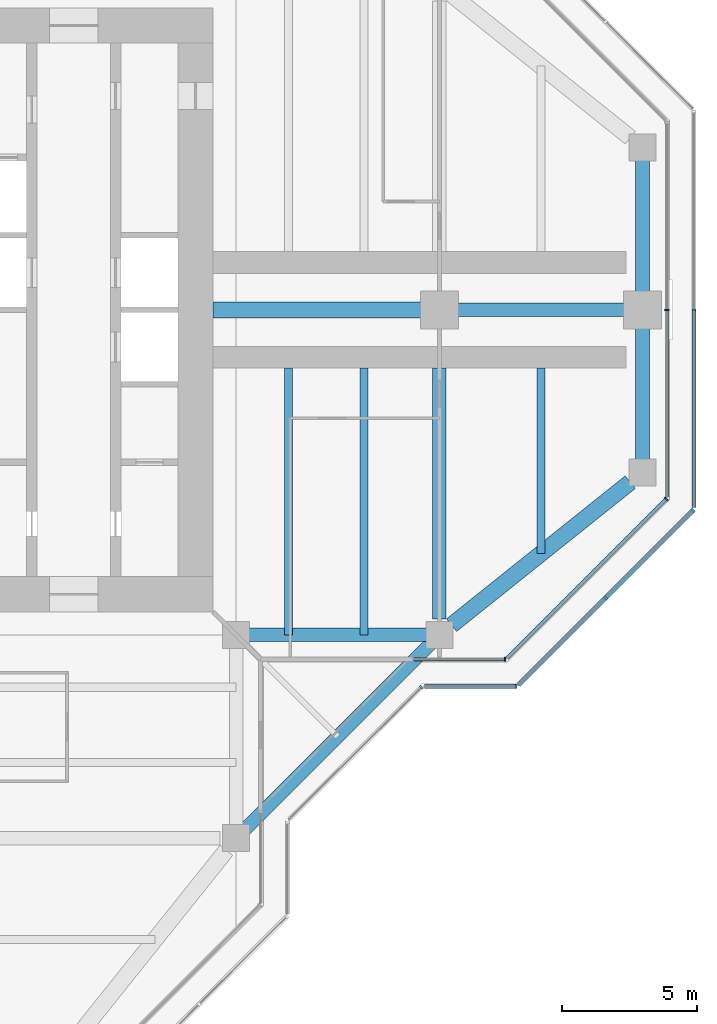
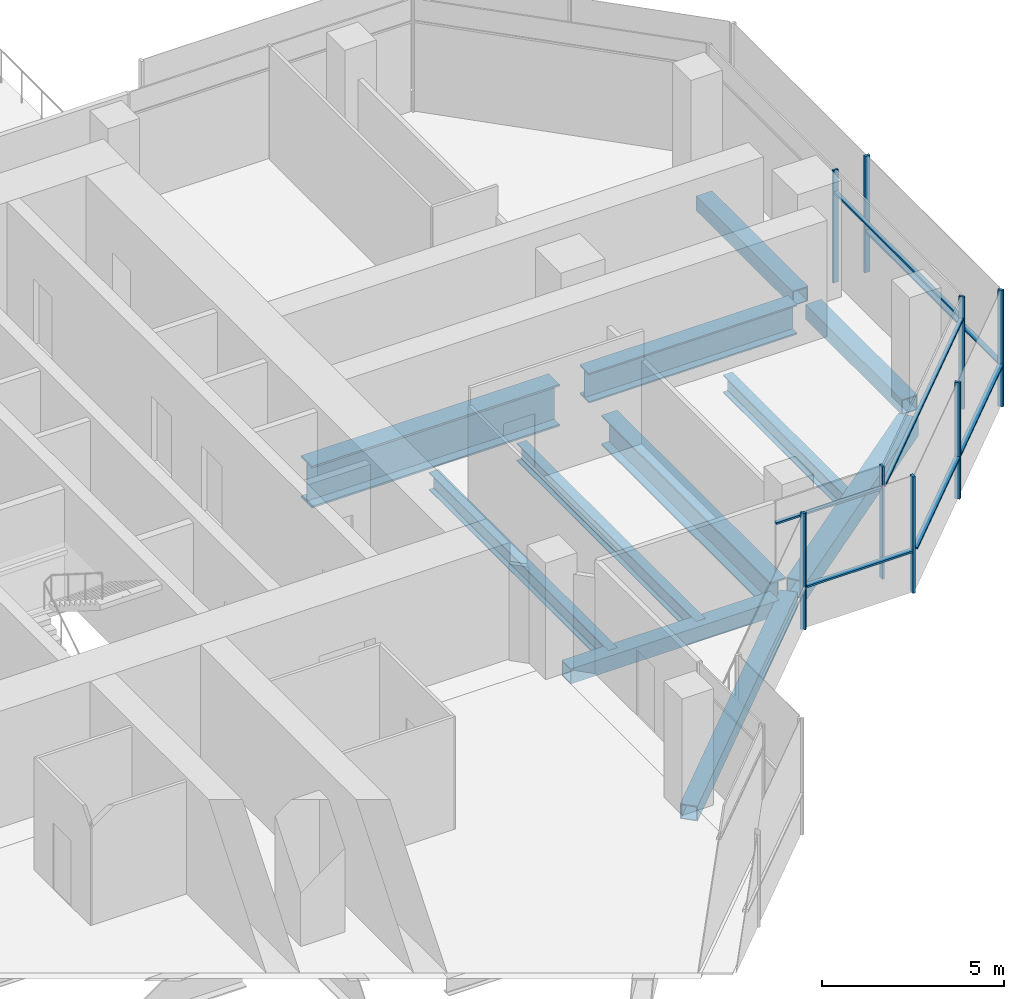
# One storey, part 5 of 15: 15 members, 11 beams, 7 elements without a shape of their own.
"""IFC4 building model written with IfcOpenShell, lengths in metres."""

from ifc_helpers import new_model, si_unit, direction, frame, origin, origin_2d, place, context, subcontext, project, spatial, rectangle, hollow_rectangle, i_section, extrude, material, material_profile, profile_set, type_object, element, aggregate, save


model = new_model("IFC4")

# Units and contexts
model_context = context("Model", 3, precision=1e-05, world=origin(), true_north=direction((0.0, 1.0)))
body_context = subcontext(model_context, "Body", "Model", "MODEL_VIEW")
ifc_project = project(units=[si_unit("LENGTHUNIT", "METRE"), si_unit("AREAUNIT", "SQUARE_METRE"), si_unit("VOLUMEUNIT", "CUBIC_METRE"), si_unit("PLANEANGLEUNIT", "RADIAN"), si_unit("MASSUNIT", "GRAM", prefix="KILO")], contexts=[model_context])

# Site, building, storey
site_placement = place(None, origin())
site = spatial("IfcSite", under=ifc_project, at=site_placement, CompositionType="ELEMENT")
building_placement = place(site_placement, origin())
building = spatial("IfcBuilding", under=site, at=building_placement, Name="Mizan Broadcast Tower", CompositionType="ELEMENT")
storey_placement = place(building_placement, frame((0.0, 0.0, 267.300048828125)))
storey = spatial("IfcBuildingStorey", under=building, at=storey_placement, Name="L63", CompositionType="ELEMENT", Elevation=267.300048828125)

# Beams
ifc_material_1 = material(Name="Steel S355", Category="steel")
ifc_material_profile_1 = material_profile(ifc_material_1, hollow_rectangle(XDim=0.5, YDim=0.5, WallThickness=0.030029296875, at=origin_2d()), Name="BOX 500x500x30")
ifc_profile_set_1 = profile_set([ifc_material_profile_1], Name="Steel S355")
beam_type_1 = type_object("IfcBeamType", Name="EDGE BEAM BOX 500x500x30", PredefinedType="SPANDREL", material=ifc_profile_set_1)
beam_1_placement = place(storey_placement, frame((12.449951171875, -12.0, -0.380126953125), z_axis=(1.0, 0.0, 0.0), x_axis=(0.0, 1.0, 0.0)))
element("IfcBeam", 1, at=beam_1_placement, inside=storey, type_object=beam_type_1, Name="Edge beam BOX 500x500x30 L63 east arm", PredefinedType="SPANDREL", context=body_context, shape_type="SweptSolid", body=[
    extrude(hollow_rectangle(XDim=0.5, YDim=0.5, WallThickness=0.030029296875, at=origin_2d()), origin(), (0.0, 0.0, 1.0), 6.60009765625),
])
for number, where, z_axis, x_axis, name in (
    (2, (27.0, -5.639892578125, -0.380126953125), (0.0, 1.0, 0.0), (-1.0, 0.0, 0.0), "Edge beam BOX 500x500x30 L63 east arm"),
    (3, (27.0, 5.639892578125, -0.380126953125), (0.0, -1.0, 0.0), (1.0, 0.0, 0.0), "Edge beam BOX 500x500x30 L63 east arm"),
):
    element("IfcBeam", number, at=place(storey_placement, frame(where, z_axis=z_axis, x_axis=x_axis)), inside=storey, type_object=beam_type_1, Name=name, PredefinedType="SPANDREL", context=body_context, shape_type="SweptSolid", body=[
        extrude(hollow_rectangle(XDim=0.5, YDim=0.5, WallThickness=0.030029296875, at=origin_2d()), origin(), (0.0, 0.0, 1.0), 5.27978515625),
    ])
beam_2_placement = place(storey_placement, frame((12.0, -19.5, -0.380126953125), z_axis=(0.707106781187, 0.707106781187, 0.0), x_axis=(-0.707106781187, 0.707106781187, 0.0)))
element("IfcBeam", 4, at=beam_2_placement, inside=storey, type_object=beam_type_1, Name="Winter garden edge beam L63 S", PredefinedType="SPANDREL", context=body_context, shape_type="SweptSolid", body=[
    extrude(hollow_rectangle(XDim=0.5, YDim=0.5, WallThickness=0.030029296875, at=origin_2d()), origin(), (0.0, 0.0, 1.0), 10.606689453125),
])
ifc_material_2 = material(Name="Steel S355", Category="steel")
ifc_material_profile_2 = material_profile(ifc_material_2, hollow_rectangle(XDim=0.60009765625, YDim=0.60009765625, WallThickness=0.030029296875, at=origin_2d()), Name="BOX 600x600x30")
ifc_profile_set_2 = profile_set([ifc_material_profile_2], Name="Steel S355")
beam_type_2 = type_object("IfcBeamType", Name="EDGE BEAM BOX 600x600x30", PredefinedType="SPANDREL", material=ifc_profile_set_2)
beam_3_placement = place(storey_placement, frame((19.949951171875, -11.639892578125, -0.429931640625), z_axis=(0.780885717636, 0.624673911726, 0.0), x_axis=(-0.624673911726, 0.780885717636, 0.0)))
element("IfcBeam", 5, at=beam_3_placement, inside=storey, type_object=beam_type_2, Name="Edge beam BOX 600x600x30 L63 east arm", PredefinedType="SPANDREL", context=body_context, shape_type="SweptSolid", body=[
    extrude(hollow_rectangle(XDim=0.60009765625, YDim=0.60009765625, WallThickness=0.030029296875, at=origin_2d()), origin(), (0.0, 0.0, 1.0), 8.4521484375),
])
ifc_material_3 = material(Name="Steel S460", Category="steel")
ifc_material_profile_3 = material_profile(ifc_material_3, i_section(OverallWidth=0.5, OverallDepth=1.0, WebThickness=0.02490234375, FlangeThickness=0.050048828125, at=origin_2d()), Name="WPG 1000x500")
ifc_profile_set_3 = profile_set([ifc_material_profile_3], Name="Steel S460")
beam_type_3 = type_object("IfcBeamType", Name="GIRDER WPG 1000x500", PredefinedType="BEAM", material=ifc_profile_set_3)
beam_4_placement = place(storey_placement, frame((19.949951171875, 0.0, -0.630126953125), z_axis=(1.0, 0.0, 0.0), x_axis=(0.0, 1.0, 0.0)))
element("IfcBeam", 6, at=beam_4_placement, inside=storey, type_object=beam_type_3, Name="Girder WPG 1000x500 L63 east arm", PredefinedType="BEAM", context=body_context, shape_type="SweptSolid", body=[
    extrude(i_section(OverallWidth=0.5, OverallDepth=1.0, WebThickness=0.02490234375, FlangeThickness=0.050048828125, at=origin_2d()), origin(), (0.0, 0.0, 1.0), 6.60009765625),
])
beam_5_placement = place(storey_placement, frame((19.5, -11.408935546875, -0.630126953125), z_axis=(0.0, 1.0, 0.0), x_axis=(-1.0, 0.0, 0.0)))
element("IfcBeam", 7, at=beam_5_placement, inside=storey, type_object=beam_type_3, Name="Girder WPG 1000x500 L63 east arm", PredefinedType="BEAM", context=body_context, shape_type="SweptSolid", body=[
    extrude(i_section(OverallWidth=0.5, OverallDepth=1.0, WebThickness=0.02490234375, FlangeThickness=0.050048828125, at=origin_2d()), origin(), (0.0, 0.0, 1.0), 9.259033203125),
])
ifc_material_4 = material(Name="Steel S460", Category="steel")
ifc_material_profile_4 = material_profile(ifc_material_4, i_section(OverallWidth=0.60009765625, OverallDepth=1.39990234375, WebThickness=0.02490234375, FlangeThickness=0.06005859375, at=origin_2d()), Name="WPG 1400x600")
ifc_profile_set_4 = profile_set([ifc_material_profile_4], Name="Steel S460")
beam_type_4 = type_object("IfcBeamType", Name="GIRDER WPG 1400x600", PredefinedType="BEAM", material=ifc_profile_set_4)
beam_6_placement = place(storey_placement, frame((11.14990234375, 0.0, -0.830078125), z_axis=(1.0, 0.0, 0.0), x_axis=(0.0, 1.0, 0.0)))
element("IfcBeam", 8, at=beam_6_placement, inside=storey, type_object=beam_type_4, Name="Girder WPG 1400x600 L63 east arm", PredefinedType="BEAM", context=body_context, shape_type="SweptSolid", body=[
    extrude(i_section(OverallWidth=0.60009765625, OverallDepth=1.39990234375, WebThickness=0.02490234375, FlangeThickness=0.06005859375, at=origin_2d()), origin(), (0.0, 0.0, 1.0), 7.84912109375),
])

# Curtain wall, member
ifc_material_5 = material(Name="Aluminium framed glazing", Category="aluminium")
curtain_wall_type_1 = type_object("IfcCurtainWallType", Name="INNER SKIN TOP ZONE", PredefinedType="USERDEFINED", material=ifc_material_5)
curtain_wall_1_placement = place(storey_placement, origin())
curtain_wall_1 = element("IfcCurtainWall", 9, at=curtain_wall_1_placement, inside=storey, type_object=curtain_wall_type_1, Name="Inner skin top zone L63 E side", ObjectType="INNER SKIN TOP ZONE", PredefinedType="USERDEFINED")
ifc_material_6 = material(Name="Aluminium, pale anodised", Category="aluminium")
ifc_material_profile_5 = material_profile(ifc_material_6, rectangle(XDim=0.159912109375, YDim=0.06005859375, at=origin_2d()), Name="MULLION 160x60")
ifc_profile_set_5 = profile_set([ifc_material_profile_5], Name="Aluminium, pale anodised")
member_type_1 = type_object("IfcMemberType", Name="INNER SKIN MULLION 60x160", PredefinedType="MULLION", material=ifc_profile_set_5)
member_1_placement = place(storey_placement, frame((21.928466796875, -12.89990234375, 0.0), z_axis=(0.0, 0.0, 1.0), x_axis=(0.0, 1.0, 0.0)))
member_1 = element("IfcMember", 10, at=member_1_placement, type_object=member_type_1, Name="Inner skin top zone L63 E side mullion 2", PredefinedType="MULLION", context=body_context, shape_type="SweptSolid", body=[
    extrude(rectangle(XDim=0.159912109375, YDim=0.06005859375, at=origin_2d()), origin(), (0.0, 0.0, 1.0), 3.77001953125),
])

curtain_wall_2_placement = place(storey_placement, origin())
curtain_wall_2 = element("IfcCurtainWall", 11, at=curtain_wall_2_placement, inside=storey, type_object=curtain_wall_type_1, Name="Inner skin top zone L63 E chamfer", ObjectType="INNER SKIN TOP ZONE", PredefinedType="USERDEFINED")
member_2_placement = place(storey_placement, frame((27.87890625, -6.979736328125, 0.0), z_axis=(0.0, 0.0, 1.0), x_axis=(-0.707106781187, 0.707106781187, 0.0)))
member_2 = element("IfcMember", 12, at=member_2_placement, type_object=member_type_1, Name="Inner skin top zone L63 E chamfer mullion 2", PredefinedType="MULLION", context=body_context, shape_type="SweptSolid", body=[
    extrude(rectangle(XDim=0.159912109375, YDim=0.06005859375, at=origin_2d()), origin(), (0.0, 0.0, 1.0), 3.77001953125),
])

curtain_wall_3_placement = place(storey_placement, origin())
curtain_wall_3 = element("IfcCurtainWall", 13, at=curtain_wall_3_placement, inside=storey, type_object=curtain_wall_type_1, Name="Inner skin top zone L63 E end", ObjectType="INNER SKIN TOP ZONE", PredefinedType="USERDEFINED")
member_3_placement = place(storey_placement, frame((27.89990234375, 0.0, 0.0), z_axis=(0.0, 0.0, 1.0), x_axis=(-1.0, 0.0, 0.0)))
member_3 = element("IfcMember", 14, at=member_3_placement, type_object=member_type_1, Name="Inner skin top zone L63 E end mullion 2", PredefinedType="MULLION", context=body_context, shape_type="SweptSolid", body=[
    extrude(rectangle(XDim=0.159912109375, YDim=0.06005859375, at=origin_2d()), origin(), (0.0, 0.0, 1.0), 3.77001953125),
])

# Member
ifc_material_7 = material(Name="Aluminium, pale anodised", Category="aluminium")
ifc_material_profile_6 = material_profile(ifc_material_7, rectangle(XDim=0.1201171875, YDim=0.06005859375, at=origin_2d()), Name="TRANSOM 120x60")
ifc_profile_set_6 = profile_set([ifc_material_profile_6], Name="Aluminium, pale anodised")
member_type_2 = type_object("IfcMemberType", Name="INNER SKIN TRANSOM 60x120", PredefinedType="USERDEFINED", material=ifc_profile_set_6)
member_4_placement = place(storey_placement, frame((18.56005859375, -12.89990234375, 3.030029296875), z_axis=(1.0, 0.0, 0.0), x_axis=(0.0, 1.0, 0.0)))
member_4 = element("IfcMember", 15, at=member_4_placement, type_object=member_type_2, Name="Inner skin top zone L63 E side transom 1.1", ObjectType="TRANSOM", PredefinedType="USERDEFINED", context=body_context, shape_type="SweptSolid", body=[
    extrude(rectangle(XDim=0.1201171875, YDim=0.06005859375, at=origin_2d()), origin(), (0.0, 0.0, 1.0), 3.338623046875),
])

aggregate(curtain_wall_1, [member_1, member_4])

member_5_placement = place(storey_placement, frame((22.0009765625, -12.857666015625, 3.030029296875), z_axis=(0.707106781187, 0.707106781187, 0.0), x_axis=(-0.707106781187, 0.707106781187, 0.0)))
member_5 = element("IfcMember", 16, at=member_5_placement, type_object=member_type_2, Name="Inner skin top zone L63 E chamfer transom 1.1", ObjectType="TRANSOM", PredefinedType="USERDEFINED", context=body_context, shape_type="SweptSolid", body=[
    extrude(rectangle(XDim=0.1201171875, YDim=0.06005859375, at=origin_2d()), origin(), (0.0, 0.0, 1.0), 8.28271484375),
])

aggregate(curtain_wall_2, [member_2, member_5])

member_6_placement = place(storey_placement, frame((27.89990234375, -6.898681640625, 3.030029296875), z_axis=(0.0, 1.0, 0.0), x_axis=(-1.0, 0.0, 0.0)))
member_6 = element("IfcMember", 17, at=member_6_placement, type_object=member_type_2, Name="Inner skin top zone L63 E end transom 1.1", ObjectType="TRANSOM", PredefinedType="USERDEFINED", context=body_context, shape_type="SweptSolid", body=[
    extrude(rectangle(XDim=0.1201171875, YDim=0.06005859375, at=origin_2d()), origin(), (0.0, 0.0, 1.0), 6.86865234375),
])

aggregate(curtain_wall_3, [member_3, member_6])

# Curtain wall, member
ifc_material_8 = material(Name="Aluminium framed glazing", Category="aluminium")
curtain_wall_type_2 = type_object("IfcCurtainWallType", Name="OUTER SKIN", PredefinedType="USERDEFINED", material=ifc_material_8)
curtain_wall_4_placement = place(storey_placement, origin())
curtain_wall_4 = element("IfcCurtainWall", 18, at=curtain_wall_4_placement, inside=storey, type_object=curtain_wall_type_2, Name="Outer skin L63 E chamfer", ObjectType="OUTER SKIN", PredefinedType="USERDEFINED")
ifc_material_9 = material(Name="Aluminium, pale anodised", Category="aluminium")
ifc_material_profile_7 = material_profile(ifc_material_9, rectangle(XDim=0.159912109375, YDim=0.080078125, at=origin_2d()), Name="MULLION 160x80")
ifc_profile_set_7 = profile_set([ifc_material_profile_7], Name="Aluminium, pale anodised")
member_type_3 = type_object("IfcMemberType", Name="OUTER SKIN MULLION 80x160", PredefinedType="MULLION", material=ifc_profile_set_7)
member_7_placement = place(storey_placement, frame((18.844482421875, -13.92822265625, 0.0), z_axis=(0.0, 0.0, 1.0), x_axis=(-0.707106781187, 0.707106781187, 0.0)))
member_7 = element("IfcMember", 19, at=member_7_placement, type_object=member_type_3, Name="Outer skin L63 E chamfer mullion 2", PredefinedType="MULLION", context=body_context, shape_type="SweptSolid", body=[
    extrude(rectangle(XDim=0.159912109375, YDim=0.080078125, at=origin_2d()), origin(), (0.0, 0.0, 1.0), 3.89990234375),
])
aggregate(curtain_wall_4, [member_7])

curtain_wall_5_placement = place(storey_placement, origin())
curtain_wall_5 = element("IfcCurtainWall", 20, at=curtain_wall_5_placement, inside=storey, type_object=curtain_wall_type_2, Name="Outer skin L63 E side", ObjectType="OUTER SKIN", PredefinedType="USERDEFINED")
member_8_placement = place(storey_placement, frame((22.332763671875, -13.89990234375, 0.0), z_axis=(0.0, 0.0, 1.0), x_axis=(0.0, 1.0, 0.0)))
member_8 = element("IfcMember", 21, at=member_8_placement, type_object=member_type_3, Name="Outer skin L63 E side mullion 2", PredefinedType="MULLION", context=body_context, shape_type="SweptSolid", body=[
    extrude(rectangle(XDim=0.159912109375, YDim=0.080078125, at=origin_2d()), origin(), (0.0, 0.0, 1.0), 3.89990234375),
])

# Curtain wall, members
curtain_wall_6_placement = place(storey_placement, origin())
curtain_wall_6 = element("IfcCurtainWall", 22, at=curtain_wall_6_placement, inside=storey, type_object=curtain_wall_type_2, Name="Outer skin L63 E chamfer", ObjectType="OUTER SKIN", PredefinedType="USERDEFINED")
member_9_placement = place(storey_placement, frame((25.636474609375, -10.636474609375, 0.0), z_axis=(0.0, 0.0, 1.0), x_axis=(-0.707106781187, 0.707106781187, 0.0)))
member_9 = element("IfcMember", 23, at=member_9_placement, type_object=member_type_3, Name="Outer skin L63 E chamfer mullion 2", PredefinedType="MULLION", context=body_context, shape_type="SweptSolid", body=[
    extrude(rectangle(XDim=0.159912109375, YDim=0.080078125, at=origin_2d()), origin(), (0.0, 0.0, 1.0), 3.89990234375),
])
member_10_placement = place(storey_placement, frame((28.871826171875, -7.401123046875, 0.0), z_axis=(0.0, 0.0, 1.0), x_axis=(-0.707106781187, 0.707106781187, 0.0)))
member_10 = element("IfcMember", 24, at=member_10_placement, type_object=member_type_3, Name="Outer skin L63 E chamfer mullion 3", PredefinedType="MULLION", context=body_context, shape_type="SweptSolid", body=[
    extrude(rectangle(XDim=0.159912109375, YDim=0.080078125, at=origin_2d()), origin(), (0.0, 0.0, 1.0), 3.89990234375),
])

# Curtain wall, member
curtain_wall_7_placement = place(storey_placement, origin())
curtain_wall_7 = element("IfcCurtainWall", 25, at=curtain_wall_7_placement, inside=storey, type_object=curtain_wall_type_2, Name="Outer skin L63 E end", ObjectType="OUTER SKIN", PredefinedType="USERDEFINED")
member_11_placement = place(storey_placement, frame((28.89990234375, 0.0, 0.0), z_axis=(0.0, 0.0, 1.0), x_axis=(-1.0, 0.0, 0.0)))
member_11 = element("IfcMember", 26, at=member_11_placement, type_object=member_type_3, Name="Outer skin L63 E end mullion 2", PredefinedType="MULLION", context=body_context, shape_type="SweptSolid", body=[
    extrude(rectangle(XDim=0.159912109375, YDim=0.080078125, at=origin_2d()), origin(), (0.0, 0.0, 1.0), 3.89990234375),
])

# Member
ifc_material_10 = material(Name="Aluminium, pale anodised", Category="aluminium")
ifc_material_profile_8 = material_profile(ifc_material_10, rectangle(XDim=0.159912109375, YDim=0.06005859375, at=origin_2d()), Name="TRANSOM 160x60")
ifc_profile_set_8 = profile_set([ifc_material_profile_8], Name="Aluminium, pale anodised")
member_type_4 = type_object("IfcMemberType", Name="OUTER SKIN TRANSOM 60x160", PredefinedType="USERDEFINED", material=ifc_profile_set_8)
member_12_placement = place(storey_placement, frame((18.952880859375, -13.89990234375, 1.39990234375), z_axis=(1.0, 0.0, 0.0), x_axis=(0.0, 1.0, 0.0)))
member_12 = element("IfcMember", 27, at=member_12_placement, type_object=member_type_4, Name="Outer skin L63 E side transom 1.1", ObjectType="TRANSOM", PredefinedType="USERDEFINED", context=body_context, shape_type="SweptSolid", body=[
    extrude(rectangle(XDim=0.159912109375, YDim=0.06005859375, at=origin_2d()), origin(), (0.0, 0.0, 1.0), 3.33984375),
])

aggregate(curtain_wall_5, [member_8, member_12])

member_13_placement = place(storey_placement, frame((22.429443359375, -13.843505859375, 1.39990234375), z_axis=(0.707106781187, 0.707106781187, 0.0), x_axis=(-0.707106781187, 0.707106781187, 0.0)))
member_13 = element("IfcMember", 28, at=member_13_placement, type_object=member_type_4, Name="Outer skin L63 E chamfer transom 1.1", ObjectType="TRANSOM", PredefinedType="USERDEFINED", context=body_context, shape_type="SweptSolid", body=[
    extrude(rectangle(XDim=0.159912109375, YDim=0.06005859375, at=origin_2d()), origin(), (0.0, 0.0, 1.0), 4.495361328125),
])

member_14_placement = place(storey_placement, frame((25.664794921875, -10.608154296875, 1.39990234375), z_axis=(0.707106781187, 0.707106781187, 0.0), x_axis=(-0.707106781187, 0.707106781187, 0.0)))
member_14 = element("IfcMember", 29, at=member_14_placement, type_object=member_type_4, Name="Outer skin L63 E chamfer transom 2.1", ObjectType="TRANSOM", PredefinedType="USERDEFINED", context=body_context, shape_type="SweptSolid", body=[
    extrude(rectangle(XDim=0.159912109375, YDim=0.06005859375, at=origin_2d()), origin(), (0.0, 0.0, 1.0), 4.495361328125),
])

aggregate(curtain_wall_6, [member_9, member_10, member_13, member_14])

member_15_placement = place(storey_placement, frame((28.89990234375, -7.292724609375, 1.39990234375), z_axis=(0.0, 1.0, 0.0), x_axis=(-1.0, 0.0, 0.0)))
member_15 = element("IfcMember", 30, at=member_15_placement, type_object=member_type_4, Name="Outer skin L63 E end transom 1.1", ObjectType="TRANSOM", PredefinedType="USERDEFINED", context=body_context, shape_type="SweptSolid", body=[
    extrude(rectangle(XDim=0.159912109375, YDim=0.06005859375, at=origin_2d()), origin(), (0.0, 0.0, 1.0), 7.252685546875),
])

aggregate(curtain_wall_7, [member_11, member_15])

# Beams
ifc_material_11 = material(Name="Steel S355", Category="steel")
ifc_material_profile_9 = material_profile(ifc_material_11, i_section(OverallWidth=0.300048828125, OverallDepth=0.590087890625, WebThickness=0.012939453125, FlangeThickness=0.02490234375, FilletRadius=0.027099609375, at=origin_2d()), Name="HEA 600")
ifc_profile_set_9 = profile_set([ifc_material_profile_9], Name="Steel S355")
beam_type_5 = type_object("IfcBeamType", Name="SECONDARY BEAM HEA 600", PredefinedType="JOIST", material=ifc_profile_set_9)
for number, where, z_axis, x_axis, name in (
    (31, (13.933349609375, -12.0, -0.425048828125), (0.0, 1.0, 0.0), (-1.0, 0.0, 0.0), "Secondary beam HEA 600 L63 east arm"),
    (32, (16.716552734375, -12.0, -0.425048828125), (0.0, 1.0, 0.0), (-1.0, 0.0, 0.0), "Secondary beam HEA 600 L63 east arm"),
):
    element("IfcBeam", number, at=place(storey_placement, frame(where, z_axis=z_axis, x_axis=x_axis)), inside=storey, type_object=beam_type_5, Name=name, PredefinedType="JOIST", context=body_context, shape_type="SweptSolid", body=[
        extrude(i_section(OverallWidth=0.300048828125, OverallDepth=0.590087890625, WebThickness=0.012939453125, FlangeThickness=0.02490234375, FilletRadius=0.027099609375, at=origin_2d()), origin(), (0.0, 0.0, 1.0), 9.85009765625),
    ])
beam_7_placement = place(storey_placement, frame((23.25, -9.0, -0.425048828125), z_axis=(0.0, 1.0, 0.0), x_axis=(-1.0, 0.0, 0.0)))
element("IfcBeam", 33, at=beam_7_placement, inside=storey, type_object=beam_type_5, Name="Secondary beam HEA 600 L63 east arm", PredefinedType="JOIST", context=body_context, shape_type="SweptSolid", body=[
    extrude(i_section(OverallWidth=0.300048828125, OverallDepth=0.590087890625, WebThickness=0.012939453125, FlangeThickness=0.02490234375, FilletRadius=0.027099609375, at=origin_2d()), origin(), (0.0, 0.0, 1.0), 6.85009765625),
])

save(model, "model.ifc")
